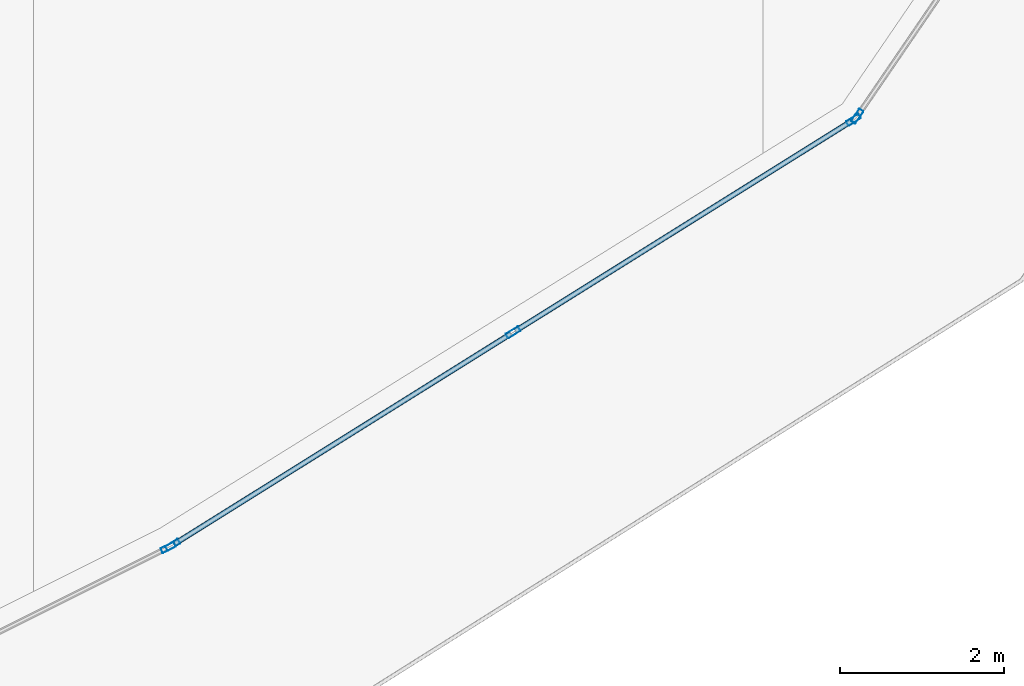
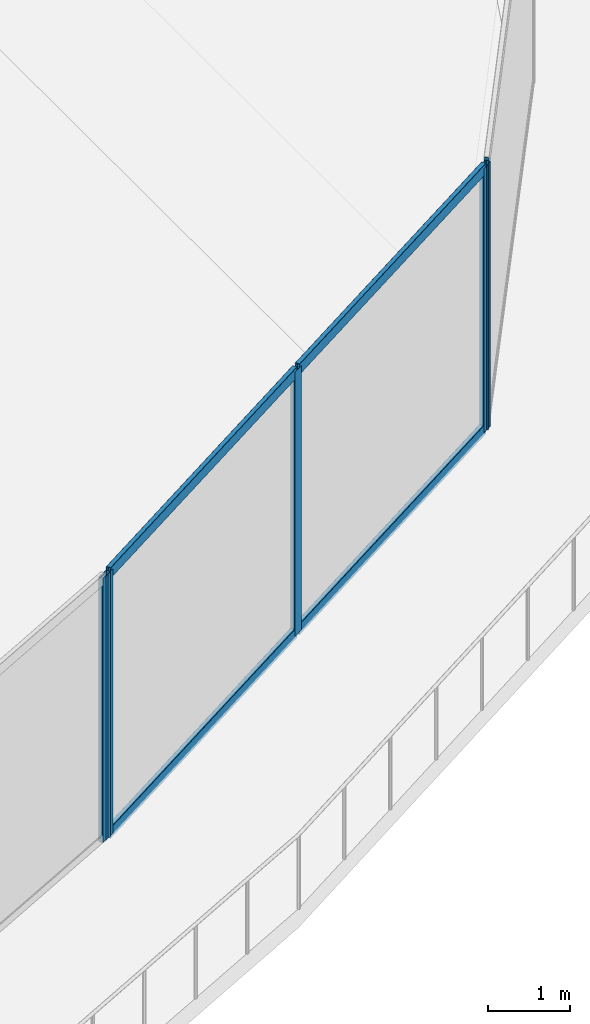
# One storey, part 10 of 44: 9 members, 3 elements without a shape of their own.
"""IFC4 building model written with IfcOpenShell, lengths in metres."""

from ifc_helpers import new_model, si_unit, direction, frame, origin, origin_2d, place, context, subcontext, project, spatial, hollow_rectangle, extrude, material, layer, layer_set, material_profile, profile_set, type_object, element, aggregate, save


model = new_model("IFC4")

# Units and contexts
model_context = context("Model", 3, precision=1e-05, world=origin(), true_north=direction((0.0, 1.0)))
body_context = subcontext(model_context, "Body", "Model", "MODEL_VIEW")
ifc_project = project(units=[si_unit("LENGTHUNIT", "METRE"), si_unit("AREAUNIT", "SQUARE_METRE"), si_unit("VOLUMEUNIT", "CUBIC_METRE"), si_unit("PLANEANGLEUNIT", "RADIAN"), si_unit("MASSUNIT", "GRAM", prefix="KILO")], contexts=[model_context])

# Site, building, storey
site_placement = place(None, origin())
site = spatial("IfcSite", under=ifc_project, at=site_placement, CompositionType="ELEMENT")
building_placement = place(site_placement, origin())
building = spatial("IfcBuilding", under=site, at=building_placement, Name="Qorvath Tower", CompositionType="ELEMENT")
storey_placement = place(building_placement, frame((0.0, 0.0, 57.60009765625)))
storey = spatial("IfcBuildingStorey", under=building, at=storey_placement, Name="L12", CompositionType="ELEMENT", Elevation=57.60009765625)

# Curtain wall, member
ifc_material_1 = material(Name="Anodised aluminium and triple low-E glass", Category="aluminium")
ifc_layer = layer(ifc_material_1, 0.179931640625)
ifc_layer_set = layer_set([ifc_layer], Name="CW-SYS-2")
curtain_wall_type = type_object("IfcCurtainWallType", Name="CW-SYS-2", PredefinedType="NOTDEFINED", material=ifc_layer_set)
curtain_wall_1_placement = place(storey_placement, origin())
curtain_wall_1 = element("IfcCurtainWall", 1, at=curtain_wall_1_placement, inside=storey, type_object=curtain_wall_type, Name="Curtain Wall CW-2 CW-T-L12-3.1", PredefinedType="NOTDEFINED")
ifc_material_2 = material(Name="Anodised aluminium 6063-T6", Category="aluminium")
ifc_material_profile_1 = material_profile(ifc_material_2, hollow_rectangle(XDim=0.06494140625, YDim=0.179931640625, WallThickness=0.00341796875, InnerFilletRadius=0.00341796875, OuterFilletRadius=0.007080078125, at=origin_2d()), Name="CWM 180x65")
ifc_profile_set_1 = profile_set([ifc_material_profile_1], Name="Anodised aluminium 6063-T6")
member_type_1 = type_object("IfcMemberType", Name="CWM-180", PredefinedType="MULLION", material=ifc_profile_set_1)
member_1_placement = place(storey_placement, frame((-10.397705078125, -30.495849609375, 0.0), z_axis=(0.0, 0.0, 1.0), x_axis=(-0.447213595499, 0.894427191001, 0.0)))
member_1 = element("IfcMember", 2, at=member_1_placement, type_object=member_type_1, Name="CW-2 mullion 2", PredefinedType="MULLION", context=body_context, shape_type="SweptSolid", body=[
    extrude(hollow_rectangle(XDim=0.06494140625, YDim=0.179931640625, WallThickness=0.00341796875, InnerFilletRadius=0.00341796875, OuterFilletRadius=0.007080078125, at=origin_2d()), origin(), (0.0, 0.0, 1.0), 3.919921875),
])
aggregate(curtain_wall_1, [member_1])

# Curtain wall, members
curtain_wall_2_placement = place(storey_placement, origin())
curtain_wall_2 = element("IfcCurtainWall", 3, at=curtain_wall_2_placement, inside=storey, type_object=curtain_wall_type, Name="Curtain Wall CW-2 CW-T-L12-4.1", PredefinedType="NOTDEFINED")
member_2_placement = place(storey_placement, frame((-10.341064453125, -30.4638671875, 0.0), z_axis=(0.0, 0.0, 1.0), x_axis=(-0.529691684986, 0.848190261001, 0.0)))
member_2 = element("IfcMember", 4, at=member_2_placement, type_object=member_type_1, Name="CW-2 mullion 1", PredefinedType="MULLION", context=body_context, shape_type="SweptSolid", body=[
    extrude(hollow_rectangle(XDim=0.06494140625, YDim=0.179931640625, WallThickness=0.00341796875, InnerFilletRadius=0.00341796875, OuterFilletRadius=0.007080078125, at=origin_2d()), origin(), (0.0, 0.0, 1.0), 3.919921875),
])
member_3_placement = place(storey_placement, frame((-6.199462890625, -27.87744140625, 0.0), z_axis=(0.0, 0.0, 1.0), x_axis=(-0.529691684986, 0.848190261001, 0.0)))
member_3 = element("IfcMember", 5, at=member_3_placement, type_object=member_type_1, Name="CW-2 mullion 2", PredefinedType="MULLION", context=body_context, shape_type="SweptSolid", body=[
    extrude(hollow_rectangle(XDim=0.06494140625, YDim=0.179931640625, WallThickness=0.00341796875, InnerFilletRadius=0.00341796875, OuterFilletRadius=0.007080078125, at=origin_2d()), origin(), (0.0, 0.0, 1.0), 3.919921875),
])
member_4_placement = place(storey_placement, frame((-2.057861328125, -25.291015625, 0.0), z_axis=(0.0, 0.0, 1.0), x_axis=(-0.529691684986, 0.848190261001, 0.0)))
member_4 = element("IfcMember", 6, at=member_4_placement, type_object=member_type_1, Name="CW-2 mullion 3", PredefinedType="MULLION", context=body_context, shape_type="SweptSolid", body=[
    extrude(hollow_rectangle(XDim=0.06494140625, YDim=0.179931640625, WallThickness=0.00341796875, InnerFilletRadius=0.00341796875, OuterFilletRadius=0.007080078125, at=origin_2d()), origin(), (0.0, 0.0, 1.0), 3.919921875),
])

# Curtain wall, member
curtain_wall_3_placement = place(storey_placement, origin())
curtain_wall_3 = element("IfcCurtainWall", 7, at=curtain_wall_3_placement, inside=storey, type_object=curtain_wall_type, Name="Curtain Wall CW-2 CW-T-L12-5.1", PredefinedType="NOTDEFINED")
member_5_placement = place(storey_placement, frame((-2.011962890625, -25.2470703125, 0.0), z_axis=(0.0, 0.0, 1.0), x_axis=(-0.825808847881, 0.563950127903, 0.0)))
member_5 = element("IfcMember", 8, at=member_5_placement, type_object=member_type_1, Name="CW-2 mullion 1", PredefinedType="MULLION", context=body_context, shape_type="SweptSolid", body=[
    extrude(hollow_rectangle(XDim=0.06494140625, YDim=0.179931640625, WallThickness=0.00341796875, InnerFilletRadius=0.00341796875, OuterFilletRadius=0.007080078125, at=origin_2d()), origin(), (0.0, 0.0, 1.0), 3.919921875),
])
aggregate(curtain_wall_3, [member_5])

# Member
ifc_material_3 = material(Name="Anodised aluminium 6063-T6", Category="aluminium")
ifc_material_profile_2 = material_profile(ifc_material_3, hollow_rectangle(XDim=0.06494140625, YDim=0.159912109375, WallThickness=0.00341796875, InnerFilletRadius=0.00341796875, OuterFilletRadius=0.007080078125, at=origin_2d()), Name="CWT 160x65")
ifc_profile_set_2 = profile_set([ifc_material_profile_2], Name="Anodised aluminium 6063-T6")
member_type_2 = type_object("IfcMemberType", Name="CWT-160", PredefinedType="USERDEFINED", material=ifc_profile_set_2)
member_6_placement = place(storey_placement, frame((-10.3134765625, -30.44677734375, 0.032470703125), z_axis=(0.848186144124, 0.529698277245, 0.0), x_axis=(-0.529698277245, 0.848186144124, 0.0)))
member_6 = element("IfcMember", 9, at=member_6_placement, type_object=member_type_2, Name="CW-2 transom 1.1", ObjectType="TRANSOM", PredefinedType="USERDEFINED", context=body_context, shape_type="SweptSolid", body=[
    extrude(hollow_rectangle(XDim=0.06494140625, YDim=0.159912109375, WallThickness=0.00341796875, InnerFilletRadius=0.00341796875, OuterFilletRadius=0.007080078125, at=origin_2d()), origin(), (0.0, 0.0, 1.0), 4.81787109375),
])

member_7_placement = place(storey_placement, frame((-10.3134765625, -30.44677734375, 3.887451171875), z_axis=(0.848186144124, 0.529698277245, 0.0), x_axis=(-0.529698277245, 0.848186144124, 0.0)))
member_7 = element("IfcMember", 10, at=member_7_placement, type_object=member_type_2, Name="CW-2 transom 1.2", ObjectType="TRANSOM", PredefinedType="USERDEFINED", context=body_context, shape_type="SweptSolid", body=[
    extrude(hollow_rectangle(XDim=0.06494140625, YDim=0.159912109375, WallThickness=0.00341796875, InnerFilletRadius=0.00341796875, OuterFilletRadius=0.007080078125, at=origin_2d()), origin(), (0.0, 0.0, 1.0), 4.81787109375),
])

member_8_placement = place(storey_placement, frame((-6.171875, -27.8603515625, 0.032470703125), z_axis=(0.848186144124, 0.529698277245, 0.0), x_axis=(-0.529698277245, 0.848186144124, 0.0)))
member_8 = element("IfcMember", 11, at=member_8_placement, type_object=member_type_2, Name="CW-2 transom 2.1", ObjectType="TRANSOM", PredefinedType="USERDEFINED", context=body_context, shape_type="SweptSolid", body=[
    extrude(hollow_rectangle(XDim=0.06494140625, YDim=0.159912109375, WallThickness=0.00341796875, InnerFilletRadius=0.00341796875, OuterFilletRadius=0.007080078125, at=origin_2d()), origin(), (0.0, 0.0, 1.0), 4.81787109375),
])

member_9_placement = place(storey_placement, frame((-6.171875, -27.8603515625, 3.887451171875), z_axis=(0.848186144124, 0.529698277245, 0.0), x_axis=(-0.529698277245, 0.848186144124, 0.0)))
member_9 = element("IfcMember", 12, at=member_9_placement, type_object=member_type_2, Name="CW-2 transom 2.2", ObjectType="TRANSOM", PredefinedType="USERDEFINED", context=body_context, shape_type="SweptSolid", body=[
    extrude(hollow_rectangle(XDim=0.06494140625, YDim=0.159912109375, WallThickness=0.00341796875, InnerFilletRadius=0.00341796875, OuterFilletRadius=0.007080078125, at=origin_2d()), origin(), (0.0, 0.0, 1.0), 4.81787109375),
])

aggregate(curtain_wall_2, [member_2, member_3, member_4, member_6, member_7, member_8, member_9])

save(model, "model.ifc")
